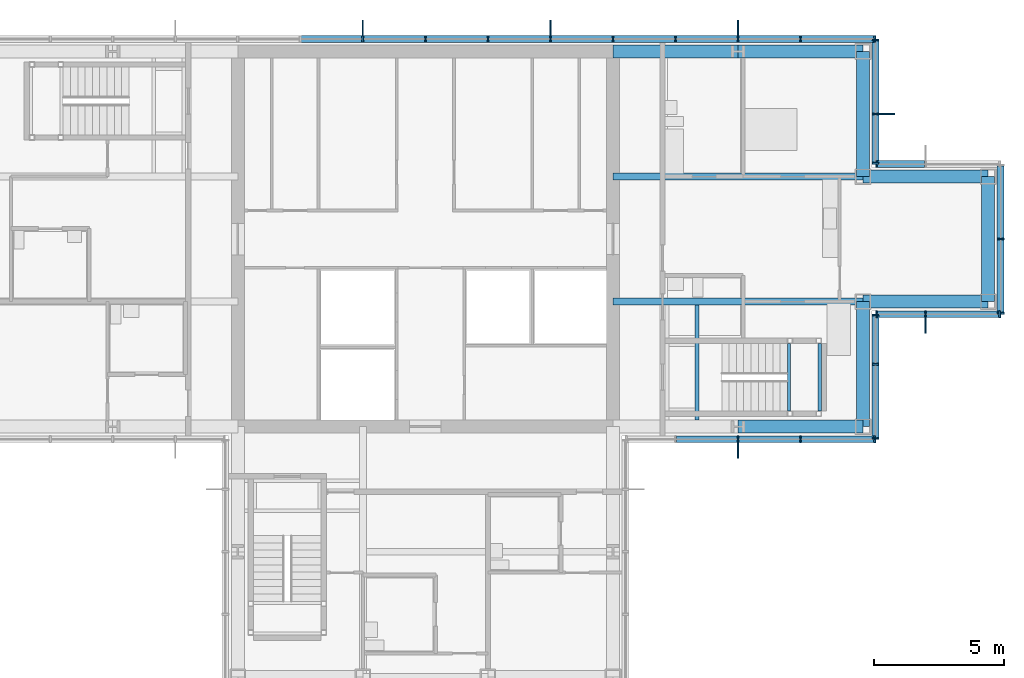
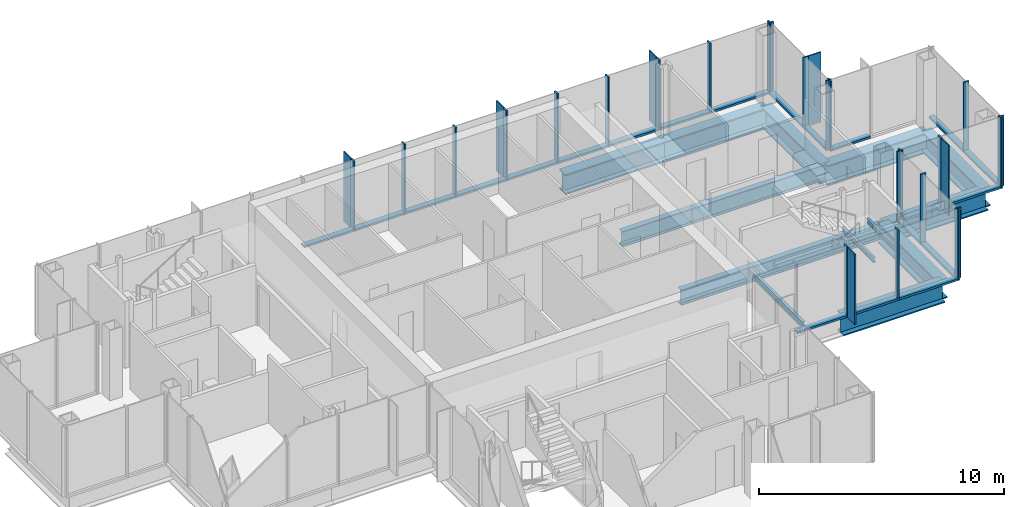
# One storey, part 7 of 15: 51 members, 13 beams, 7 elements without a shape of their own.
"""IFC4 building model written with IfcOpenShell, lengths in metres."""

from ifc_helpers import new_model, si_unit, direction, frame, origin, origin_2d, place, context, subcontext, project, spatial, rectangle, i_section, extrude, material, material_profile, profile_set, type_object, element, aggregate, save


model = new_model("IFC4")

# Units and contexts
model_context = context("Model", 3, precision=1e-05, world=origin(), true_north=direction((0.0, 1.0)))
body_context = subcontext(model_context, "Body", "Model", "MODEL_VIEW")
ifc_project = project(units=[si_unit("LENGTHUNIT", "METRE"), si_unit("AREAUNIT", "SQUARE_METRE"), si_unit("VOLUMEUNIT", "CUBIC_METRE"), si_unit("PLANEANGLEUNIT", "RADIAN"), si_unit("MASSUNIT", "GRAM", prefix="KILO")], contexts=[model_context])

# Site, building, storey
site_placement = place(None, origin())
site = spatial("IfcSite", under=ifc_project, at=site_placement, CompositionType="ELEMENT")
building_placement = place(site_placement, origin())
building = spatial("IfcBuilding", under=site, at=building_placement, Name="Kvirike Care Tower", CompositionType="ELEMENT")
storey_placement = place(building_placement, frame((0.0, 0.0, 233.0)))
storey = spatial("IfcBuildingStorey", under=building, at=storey_placement, Name="L64", CompositionType="ELEMENT", Elevation=233.0)

# Curtain wall, member
ifc_material_1 = material(Name="Anodised aluminium stick system", Category="aluminium")
curtain_wall_type = type_object("IfcCurtainWallType", Name="CW-D STICK CURTAIN WALL", PredefinedType="NOTDEFINED", material=ifc_material_1)
curtain_wall_1_placement = place(storey_placement, origin())
curtain_wall_1 = element("IfcCurtainWall", 1, at=curtain_wall_1_placement, inside=storey, type_object=curtain_wall_type, Name="Curtain wall L64 face 1", PredefinedType="NOTDEFINED")
ifc_material_2 = material(Name="Bronze anodised aluminium fin", Category="aluminium")
ifc_material_profile_1 = material_profile(ifc_material_2, rectangle(XDim=0.050048828125, YDim=0.60009765625, at=origin_2d()), Name="BRONZE FIN 600")
ifc_profile_set_1 = profile_set([ifc_material_profile_1], Name="Bronze anodised aluminium fin")
member_type_1 = type_object("IfcMemberType", Name="BRONZE FIN 600", PredefinedType="USERDEFINED", material=ifc_profile_set_1)
member_1_placement = place(storey_placement, frame((33.60009765625, 27.889892578125, 0.0), z_axis=(0.0, 0.0, 1.0), x_axis=(1.0, 0.0, 0.0)))
member_1 = element("IfcMember", 2, at=member_1_placement, type_object=member_type_1, Name="Bronze fin L64 face 1.3", ObjectType="FIN", PredefinedType="USERDEFINED", context=body_context, shape_type="SweptSolid", body=[
    extrude(rectangle(XDim=0.050048828125, YDim=0.60009765625, at=origin_2d()), origin(), (0.0, 0.0, 1.0), 3.5),
])

curtain_wall_2_placement = place(storey_placement, origin())
curtain_wall_2 = element("IfcCurtainWall", 3, at=curtain_wall_2_placement, inside=storey, type_object=curtain_wall_type, Name="Curtain wall L64 face 3", PredefinedType="NOTDEFINED")
member_2_placement = place(storey_placement, frame((40.800048828125, 32.68994140625, 0.0), z_axis=(0.0, 0.0, 1.0), x_axis=(1.0, 0.0, 0.0)))
member_2 = element("IfcMember", 4, at=member_2_placement, type_object=member_type_1, Name="Bronze fin L64 face 3.2", ObjectType="FIN", PredefinedType="USERDEFINED", context=body_context, shape_type="SweptSolid", body=[
    extrude(rectangle(XDim=0.050048828125, YDim=0.60009765625, at=origin_2d()), origin(), (0.0, 0.0, 1.0), 3.5),
])

curtain_wall_3_placement = place(storey_placement, origin())
curtain_wall_3 = element("IfcCurtainWall", 5, at=curtain_wall_3_placement, inside=storey, type_object=curtain_wall_type, Name="Curtain wall L64 face 6", PredefinedType="NOTDEFINED")
member_3_placement = place(storey_placement, frame((39.31005859375, 40.800048828125, 0.0), z_axis=(0.0, 0.0, 1.0), x_axis=(0.0, 1.0, 0.0)))
member_3 = element("IfcMember", 6, at=member_3_placement, type_object=member_type_1, Name="Bronze fin L64 face 6.2", ObjectType="FIN", PredefinedType="USERDEFINED", context=body_context, shape_type="SweptSolid", body=[
    extrude(rectangle(XDim=0.050048828125, YDim=0.60009765625, at=origin_2d()), origin(), (0.0, 0.0, 1.0), 3.5),
])

# Curtain wall, members
curtain_wall_4_placement = place(storey_placement, origin())
curtain_wall_4 = element("IfcCurtainWall", 7, at=curtain_wall_4_placement, inside=storey, type_object=curtain_wall_type, Name="Curtain wall L64 face 7", PredefinedType="NOTDEFINED")
member_4_placement = place(storey_placement, frame((33.60009765625, 44.110107421875, 0.0), z_axis=(0.0, 0.0, 1.0), x_axis=(-1.0, 0.0, 0.0)))
member_4 = element("IfcMember", 8, at=member_4_placement, type_object=member_type_1, Name="Bronze fin L64 face 7.3", ObjectType="FIN", PredefinedType="USERDEFINED", context=body_context, shape_type="SweptSolid", body=[
    extrude(rectangle(XDim=0.050048828125, YDim=0.60009765625, at=origin_2d()), origin(), (0.0, 0.0, 1.0), 3.5),
])
member_5_placement = place(storey_placement, frame((26.39990234375, 44.110107421875, 0.0), z_axis=(0.0, 0.0, 1.0), x_axis=(-1.0, 0.0, 0.0)))
member_5 = element("IfcMember", 9, at=member_5_placement, type_object=member_type_1, Name="Bronze fin L64 face 7.6", ObjectType="FIN", PredefinedType="USERDEFINED", context=body_context, shape_type="SweptSolid", body=[
    extrude(rectangle(XDim=0.050048828125, YDim=0.60009765625, at=origin_2d()), origin(), (0.0, 0.0, 1.0), 3.5),
])
member_6_placement = place(storey_placement, frame((19.199951171875, 44.110107421875, 0.0), z_axis=(0.0, 0.0, 1.0), x_axis=(-1.0, 0.0, 0.0)))
member_6 = element("IfcMember", 10, at=member_6_placement, type_object=member_type_1, Name="Bronze fin L64 face 7.9", ObjectType="FIN", PredefinedType="USERDEFINED", context=body_context, shape_type="SweptSolid", body=[
    extrude(rectangle(XDim=0.050048828125, YDim=0.60009765625, at=origin_2d()), origin(), (0.0, 0.0, 1.0), 3.5),
])

# Member
ifc_material_3 = material(Name="Bronze anodised aluminium mullion", Category="aluminium")
ifc_material_profile_2 = material_profile(ifc_material_3, rectangle(XDim=0.06494140625, YDim=0.260009765625, at=origin_2d()), Name="CW-D MULLION 65x260")
ifc_profile_set_2 = profile_set([ifc_material_profile_2], Name="Bronze anodised aluminium mullion")
member_type_2 = type_object("IfcMemberType", Name="CW-D MULLION 65x260", PredefinedType="MULLION", material=ifc_profile_set_2)
member_7_placement = place(storey_placement, frame((33.60009765625, 28.320068359375, 0.0), z_axis=(0.0, 0.0, 1.0), x_axis=(1.0, 0.0, 0.0)))
member_7 = element("IfcMember", 11, at=member_7_placement, type_object=member_type_2, Name="CW-D mullion L64 face 1.3", PredefinedType="MULLION", context=body_context, shape_type="SweptSolid", body=[
    extrude(rectangle(XDim=0.06494140625, YDim=0.260009765625, at=origin_2d()), origin(), (0.0, 0.0, 1.0), 3.5),
])

member_8_placement = place(storey_placement, frame((36.0, 28.320068359375, 0.0), z_axis=(0.0, 0.0, 1.0), x_axis=(1.0, 0.0, 0.0)))
member_8 = element("IfcMember", 12, at=member_8_placement, type_object=member_type_2, Name="CW-D mullion L64 face 1.4", PredefinedType="MULLION", context=body_context, shape_type="SweptSolid", body=[
    extrude(rectangle(XDim=0.06494140625, YDim=0.260009765625, at=origin_2d()), origin(), (0.0, 0.0, 1.0), 3.5),
])

member_9_placement = place(storey_placement, frame((38.847412109375, 28.320068359375, 0.0), z_axis=(0.0, 0.0, 1.0), x_axis=(1.0, 0.0, 0.0)))
member_9 = element("IfcMember", 13, at=member_9_placement, type_object=member_type_2, Name="CW-D mullion L64 face 1.5", PredefinedType="MULLION", context=body_context, shape_type="SweptSolid", body=[
    extrude(rectangle(XDim=0.06494140625, YDim=0.260009765625, at=origin_2d()), origin(), (0.0, 0.0, 1.0), 3.5),
])

# Curtain wall, members
curtain_wall_5_placement = place(storey_placement, origin())
curtain_wall_5 = element("IfcCurtainWall", 14, at=curtain_wall_5_placement, inside=storey, type_object=curtain_wall_type, Name="Curtain wall L64 face 2", PredefinedType="NOTDEFINED")
member_10_placement = place(storey_placement, frame((38.8798828125, 28.3525390625, 0.0), z_axis=(0.0, 0.0, 1.0), x_axis=(0.0, 1.0, 0.0)))
member_10 = element("IfcMember", 15, at=member_10_placement, type_object=member_type_2, Name="CW-D mullion L64 face 2.1", PredefinedType="MULLION", context=body_context, shape_type="SweptSolid", body=[
    extrude(rectangle(XDim=0.06494140625, YDim=0.260009765625, at=origin_2d()), origin(), (0.0, 0.0, 1.0), 3.5),
])
member_11_placement = place(storey_placement, frame((38.8798828125, 31.199951171875, 0.0), z_axis=(0.0, 0.0, 1.0), x_axis=(0.0, 1.0, 0.0)))
member_11 = element("IfcMember", 16, at=member_11_placement, type_object=member_type_2, Name="CW-D mullion L64 face 2.2", PredefinedType="MULLION", context=body_context, shape_type="SweptSolid", body=[
    extrude(rectangle(XDim=0.06494140625, YDim=0.260009765625, at=origin_2d()), origin(), (0.0, 0.0, 1.0), 3.5),
])
member_12_placement = place(storey_placement, frame((38.8798828125, 33.08740234375, 0.0), z_axis=(0.0, 0.0, 1.0), x_axis=(0.0, 1.0, 0.0)))
member_12 = element("IfcMember", 17, at=member_12_placement, type_object=member_type_2, Name="CW-D mullion L64 face 2.3", PredefinedType="MULLION", context=body_context, shape_type="SweptSolid", body=[
    extrude(rectangle(XDim=0.06494140625, YDim=0.260009765625, at=origin_2d()), origin(), (0.0, 0.0, 1.0), 3.5),
])

# Member
member_13_placement = place(storey_placement, frame((38.91259765625, 33.1201171875, 0.0), z_axis=(0.0, 0.0, 1.0), x_axis=(1.0, 0.0, 0.0)))
member_13 = element("IfcMember", 18, at=member_13_placement, type_object=member_type_2, Name="CW-D mullion L64 face 3.1", PredefinedType="MULLION", context=body_context, shape_type="SweptSolid", body=[
    extrude(rectangle(XDim=0.06494140625, YDim=0.260009765625, at=origin_2d()), origin(), (0.0, 0.0, 1.0), 3.5),
])

member_14_placement = place(storey_placement, frame((40.800048828125, 33.1201171875, 0.0), z_axis=(0.0, 0.0, 1.0), x_axis=(1.0, 0.0, 0.0)))
member_14 = element("IfcMember", 19, at=member_14_placement, type_object=member_type_2, Name="CW-D mullion L64 face 3.2", PredefinedType="MULLION", context=body_context, shape_type="SweptSolid", body=[
    extrude(rectangle(XDim=0.06494140625, YDim=0.260009765625, at=origin_2d()), origin(), (0.0, 0.0, 1.0), 3.5),
])

member_15_placement = place(storey_placement, frame((43.6474609375, 33.1201171875, 0.0), z_axis=(0.0, 0.0, 1.0), x_axis=(1.0, 0.0, 0.0)))
member_15 = element("IfcMember", 20, at=member_15_placement, type_object=member_type_2, Name="CW-D mullion L64 face 3.3", PredefinedType="MULLION", context=body_context, shape_type="SweptSolid", body=[
    extrude(rectangle(XDim=0.06494140625, YDim=0.260009765625, at=origin_2d()), origin(), (0.0, 0.0, 1.0), 3.5),
])

# Curtain wall, members
curtain_wall_6_placement = place(storey_placement, origin())
curtain_wall_6 = element("IfcCurtainWall", 21, at=curtain_wall_6_placement, inside=storey, type_object=curtain_wall_type, Name="Curtain wall L64 face 4", PredefinedType="NOTDEFINED")
member_16_placement = place(storey_placement, frame((43.679931640625, 33.152587890625, 0.0), z_axis=(0.0, 0.0, 1.0), x_axis=(0.0, 1.0, 0.0)))
member_16 = element("IfcMember", 22, at=member_16_placement, type_object=member_type_2, Name="CW-D mullion L64 face 4.1", PredefinedType="MULLION", context=body_context, shape_type="SweptSolid", body=[
    extrude(rectangle(XDim=0.06494140625, YDim=0.260009765625, at=origin_2d()), origin(), (0.0, 0.0, 1.0), 3.5),
])
member_17_placement = place(storey_placement, frame((43.679931640625, 36.0, 0.0), z_axis=(0.0, 0.0, 1.0), x_axis=(0.0, 1.0, 0.0)))
member_17 = element("IfcMember", 23, at=member_17_placement, type_object=member_type_2, Name="CW-D mullion L64 face 4.2", PredefinedType="MULLION", context=body_context, shape_type="SweptSolid", body=[
    extrude(rectangle(XDim=0.06494140625, YDim=0.260009765625, at=origin_2d()), origin(), (0.0, 0.0, 1.0), 3.5),
])

# Curtain wall, member
curtain_wall_7_placement = place(storey_placement, origin())
curtain_wall_7 = element("IfcCurtainWall", 24, at=curtain_wall_7_placement, inside=storey, type_object=curtain_wall_type, Name="Curtain wall L64 face 5", PredefinedType="NOTDEFINED")
member_18_placement = place(storey_placement, frame((38.91259765625, 38.8798828125, 0.0), z_axis=(0.0, 0.0, 1.0), x_axis=(-1.0, 0.0, 0.0)))
member_18 = element("IfcMember", 25, at=member_18_placement, type_object=member_type_2, Name="CW-D mullion L64 face 5.3", PredefinedType="MULLION", context=body_context, shape_type="SweptSolid", body=[
    extrude(rectangle(XDim=0.06494140625, YDim=0.260009765625, at=origin_2d()), origin(), (0.0, 0.0, 1.0), 3.5),
])

# Member
member_19_placement = place(storey_placement, frame((38.8798828125, 38.91259765625, 0.0), z_axis=(0.0, 0.0, 1.0), x_axis=(0.0, 1.0, 0.0)))
member_19 = element("IfcMember", 26, at=member_19_placement, type_object=member_type_2, Name="CW-D mullion L64 face 6.1", PredefinedType="MULLION", context=body_context, shape_type="SweptSolid", body=[
    extrude(rectangle(XDim=0.06494140625, YDim=0.260009765625, at=origin_2d()), origin(), (0.0, 0.0, 1.0), 3.5),
])

member_20_placement = place(storey_placement, frame((38.8798828125, 40.800048828125, 0.0), z_axis=(0.0, 0.0, 1.0), x_axis=(0.0, 1.0, 0.0)))
member_20 = element("IfcMember", 27, at=member_20_placement, type_object=member_type_2, Name="CW-D mullion L64 face 6.2", PredefinedType="MULLION", context=body_context, shape_type="SweptSolid", body=[
    extrude(rectangle(XDim=0.06494140625, YDim=0.260009765625, at=origin_2d()), origin(), (0.0, 0.0, 1.0), 3.5),
])

member_21_placement = place(storey_placement, frame((38.8798828125, 43.6474609375, 0.0), z_axis=(0.0, 0.0, 1.0), x_axis=(0.0, 1.0, 0.0)))
member_21 = element("IfcMember", 28, at=member_21_placement, type_object=member_type_2, Name="CW-D mullion L64 face 6.3", PredefinedType="MULLION", context=body_context, shape_type="SweptSolid", body=[
    extrude(rectangle(XDim=0.06494140625, YDim=0.260009765625, at=origin_2d()), origin(), (0.0, 0.0, 1.0), 3.5),
])

member_22_placement = place(storey_placement, frame((38.847412109375, 43.679931640625, 0.0), z_axis=(0.0, 0.0, 1.0), x_axis=(-1.0, 0.0, 0.0)))
member_22 = element("IfcMember", 29, at=member_22_placement, type_object=member_type_2, Name="CW-D mullion L64 face 7.1", PredefinedType="MULLION", context=body_context, shape_type="SweptSolid", body=[
    extrude(rectangle(XDim=0.06494140625, YDim=0.260009765625, at=origin_2d()), origin(), (0.0, 0.0, 1.0), 3.5),
])

member_23_placement = place(storey_placement, frame((36.0, 43.679931640625, 0.0), z_axis=(0.0, 0.0, 1.0), x_axis=(-1.0, 0.0, 0.0)))
member_23 = element("IfcMember", 30, at=member_23_placement, type_object=member_type_2, Name="CW-D mullion L64 face 7.2", PredefinedType="MULLION", context=body_context, shape_type="SweptSolid", body=[
    extrude(rectangle(XDim=0.06494140625, YDim=0.260009765625, at=origin_2d()), origin(), (0.0, 0.0, 1.0), 3.5),
])

member_24_placement = place(storey_placement, frame((33.60009765625, 43.679931640625, 0.0), z_axis=(0.0, 0.0, 1.0), x_axis=(-1.0, 0.0, 0.0)))
member_24 = element("IfcMember", 31, at=member_24_placement, type_object=member_type_2, Name="CW-D mullion L64 face 7.3", PredefinedType="MULLION", context=body_context, shape_type="SweptSolid", body=[
    extrude(rectangle(XDim=0.06494140625, YDim=0.260009765625, at=origin_2d()), origin(), (0.0, 0.0, 1.0), 3.5),
])

member_25_placement = place(storey_placement, frame((31.199951171875, 43.679931640625, 0.0), z_axis=(0.0, 0.0, 1.0), x_axis=(-1.0, 0.0, 0.0)))
member_25 = element("IfcMember", 32, at=member_25_placement, type_object=member_type_2, Name="CW-D mullion L64 face 7.4", PredefinedType="MULLION", context=body_context, shape_type="SweptSolid", body=[
    extrude(rectangle(XDim=0.06494140625, YDim=0.260009765625, at=origin_2d()), origin(), (0.0, 0.0, 1.0), 3.5),
])

member_26_placement = place(storey_placement, frame((28.800048828125, 43.679931640625, 0.0), z_axis=(0.0, 0.0, 1.0), x_axis=(-1.0, 0.0, 0.0)))
member_26 = element("IfcMember", 33, at=member_26_placement, type_object=member_type_2, Name="CW-D mullion L64 face 7.5", PredefinedType="MULLION", context=body_context, shape_type="SweptSolid", body=[
    extrude(rectangle(XDim=0.06494140625, YDim=0.260009765625, at=origin_2d()), origin(), (0.0, 0.0, 1.0), 3.5),
])

member_27_placement = place(storey_placement, frame((26.39990234375, 43.679931640625, 0.0), z_axis=(0.0, 0.0, 1.0), x_axis=(-1.0, 0.0, 0.0)))
member_27 = element("IfcMember", 34, at=member_27_placement, type_object=member_type_2, Name="CW-D mullion L64 face 7.6", PredefinedType="MULLION", context=body_context, shape_type="SweptSolid", body=[
    extrude(rectangle(XDim=0.06494140625, YDim=0.260009765625, at=origin_2d()), origin(), (0.0, 0.0, 1.0), 3.5),
])

member_28_placement = place(storey_placement, frame((24.0, 43.679931640625, 0.0), z_axis=(0.0, 0.0, 1.0), x_axis=(-1.0, 0.0, 0.0)))
member_28 = element("IfcMember", 35, at=member_28_placement, type_object=member_type_2, Name="CW-D mullion L64 face 7.7", PredefinedType="MULLION", context=body_context, shape_type="SweptSolid", body=[
    extrude(rectangle(XDim=0.06494140625, YDim=0.260009765625, at=origin_2d()), origin(), (0.0, 0.0, 1.0), 3.5),
])

member_29_placement = place(storey_placement, frame((21.60009765625, 43.679931640625, 0.0), z_axis=(0.0, 0.0, 1.0), x_axis=(-1.0, 0.0, 0.0)))
member_29 = element("IfcMember", 36, at=member_29_placement, type_object=member_type_2, Name="CW-D mullion L64 face 7.8", PredefinedType="MULLION", context=body_context, shape_type="SweptSolid", body=[
    extrude(rectangle(XDim=0.06494140625, YDim=0.260009765625, at=origin_2d()), origin(), (0.0, 0.0, 1.0), 3.5),
])

member_30_placement = place(storey_placement, frame((19.199951171875, 43.679931640625, 0.0), z_axis=(0.0, 0.0, 1.0), x_axis=(-1.0, 0.0, 0.0)))
member_30 = element("IfcMember", 37, at=member_30_placement, type_object=member_type_2, Name="CW-D mullion L64 face 7.9", PredefinedType="MULLION", context=body_context, shape_type="SweptSolid", body=[
    extrude(rectangle(XDim=0.06494140625, YDim=0.260009765625, at=origin_2d()), origin(), (0.0, 0.0, 1.0), 3.5),
])

ifc_material_4 = material(Name="Bronze anodised aluminium transom", Category="aluminium")
ifc_material_profile_3 = material_profile(ifc_material_4, rectangle(XDim=0.260009765625, YDim=0.10009765625, at=origin_2d()), Name="CW-D TRANSOM 260x100")
ifc_profile_set_3 = profile_set([ifc_material_profile_3], Name="Bronze anodised aluminium transom")
member_type_3 = type_object("IfcMemberType", Name="CW-D TRANSOM 260x100", PredefinedType="USERDEFINED", material=ifc_profile_set_3)
member_31_placement = place(storey_placement, frame((31.232421875, 28.320068359375, 0.050048828125), z_axis=(1.0, 0.0, 0.0), x_axis=(0.0, 1.0, 0.0)))
member_31 = element("IfcMember", 38, at=member_31_placement, type_object=member_type_3, Name="CW-D sill transom L64 face 1.2", ObjectType="TRANSOM", PredefinedType="USERDEFINED", context=body_context, shape_type="SweptSolid", body=[
    extrude(rectangle(XDim=0.260009765625, YDim=0.10009765625, at=origin_2d()), origin(), (0.0, 0.0, 1.0), 2.3349609375),
])

member_32_placement = place(storey_placement, frame((33.632568359375, 28.320068359375, 0.050048828125), z_axis=(1.0, 0.0, 0.0), x_axis=(0.0, 1.0, 0.0)))
member_32 = element("IfcMember", 39, at=member_32_placement, type_object=member_type_3, Name="CW-D sill transom L64 face 1.3", ObjectType="TRANSOM", PredefinedType="USERDEFINED", context=body_context, shape_type="SweptSolid", body=[
    extrude(rectangle(XDim=0.260009765625, YDim=0.10009765625, at=origin_2d()), origin(), (0.0, 0.0, 1.0), 2.3349609375),
])

member_33_placement = place(storey_placement, frame((36.032470703125, 28.320068359375, 0.050048828125), z_axis=(1.0, 0.0, 0.0), x_axis=(0.0, 1.0, 0.0)))
member_33 = element("IfcMember", 40, at=member_33_placement, type_object=member_type_3, Name="CW-D sill transom L64 face 1.4", ObjectType="TRANSOM", PredefinedType="USERDEFINED", context=body_context, shape_type="SweptSolid", body=[
    extrude(rectangle(XDim=0.260009765625, YDim=0.10009765625, at=origin_2d()), origin(), (0.0, 0.0, 1.0), 2.782470703125),
])

aggregate(curtain_wall_1, [member_7, member_1, member_8, member_9, member_31, member_32, member_33])

member_34_placement = place(storey_placement, frame((38.8798828125, 28.385009765625, 0.050048828125), z_axis=(0.0, 1.0, 0.0), x_axis=(-1.0, 0.0, 0.0)))
member_34 = element("IfcMember", 41, at=member_34_placement, type_object=member_type_3, Name="CW-D sill transom L64 face 2.1", ObjectType="TRANSOM", PredefinedType="USERDEFINED", context=body_context, shape_type="SweptSolid", body=[
    extrude(rectangle(XDim=0.260009765625, YDim=0.10009765625, at=origin_2d()), origin(), (0.0, 0.0, 1.0), 2.782470703125),
])

member_35_placement = place(storey_placement, frame((38.8798828125, 31.232421875, 0.050048828125), z_axis=(0.0, 1.0, 0.0), x_axis=(-1.0, 0.0, 0.0)))
member_35 = element("IfcMember", 42, at=member_35_placement, type_object=member_type_3, Name="CW-D sill transom L64 face 2.2", ObjectType="TRANSOM", PredefinedType="USERDEFINED", context=body_context, shape_type="SweptSolid", body=[
    extrude(rectangle(XDim=0.260009765625, YDim=0.10009765625, at=origin_2d()), origin(), (0.0, 0.0, 1.0), 1.822509765625),
])

aggregate(curtain_wall_5, [member_10, member_11, member_12, member_34, member_35])

member_36_placement = place(storey_placement, frame((38.945068359375, 33.1201171875, 0.050048828125), z_axis=(1.0, 0.0, 0.0), x_axis=(0.0, 1.0, 0.0)))
member_36 = element("IfcMember", 43, at=member_36_placement, type_object=member_type_3, Name="CW-D sill transom L64 face 3.1", ObjectType="TRANSOM", PredefinedType="USERDEFINED", context=body_context, shape_type="SweptSolid", body=[
    extrude(rectangle(XDim=0.260009765625, YDim=0.10009765625, at=origin_2d()), origin(), (0.0, 0.0, 1.0), 1.822509765625),
])

member_37_placement = place(storey_placement, frame((40.83251953125, 33.1201171875, 0.050048828125), z_axis=(1.0, 0.0, 0.0), x_axis=(0.0, 1.0, 0.0)))
member_37 = element("IfcMember", 44, at=member_37_placement, type_object=member_type_3, Name="CW-D sill transom L64 face 3.2", ObjectType="TRANSOM", PredefinedType="USERDEFINED", context=body_context, shape_type="SweptSolid", body=[
    extrude(rectangle(XDim=0.260009765625, YDim=0.10009765625, at=origin_2d()), origin(), (0.0, 0.0, 1.0), 2.782470703125),
])

aggregate(curtain_wall_2, [member_13, member_14, member_2, member_15, member_36, member_37])

member_38_placement = place(storey_placement, frame((43.679931640625, 33.18505859375, 0.050048828125), z_axis=(0.0, 1.0, 0.0), x_axis=(-1.0, 0.0, 0.0)))
member_38 = element("IfcMember", 45, at=member_38_placement, type_object=member_type_3, Name="CW-D sill transom L64 face 4.1", ObjectType="TRANSOM", PredefinedType="USERDEFINED", context=body_context, shape_type="SweptSolid", body=[
    extrude(rectangle(XDim=0.260009765625, YDim=0.10009765625, at=origin_2d()), origin(), (0.0, 0.0, 1.0), 2.782470703125),
])

member_39_placement = place(storey_placement, frame((43.679931640625, 36.032470703125, 0.050048828125), z_axis=(0.0, 1.0, 0.0), x_axis=(-1.0, 0.0, 0.0)))
member_39 = element("IfcMember", 46, at=member_39_placement, type_object=member_type_3, Name="CW-D sill transom L64 face 4.2", ObjectType="TRANSOM", PredefinedType="USERDEFINED", context=body_context, shape_type="SweptSolid", body=[
    extrude(rectangle(XDim=0.260009765625, YDim=0.10009765625, at=origin_2d()), origin(), (0.0, 0.0, 1.0), 2.782470703125),
])

aggregate(curtain_wall_6, [member_16, member_17, member_38, member_39])

member_40_placement = place(storey_placement, frame((40.767578125, 38.8798828125, 0.050048828125), z_axis=(-1.0, 0.0, 0.0), x_axis=(0.0, -1.0, 0.0)))
member_40 = element("IfcMember", 47, at=member_40_placement, type_object=member_type_3, Name="CW-D sill transom L64 face 5.2", ObjectType="TRANSOM", PredefinedType="USERDEFINED", context=body_context, shape_type="SweptSolid", body=[
    extrude(rectangle(XDim=0.260009765625, YDim=0.10009765625, at=origin_2d()), origin(), (0.0, 0.0, 1.0), 1.822509765625),
])

aggregate(curtain_wall_7, [member_18, member_40])

member_41_placement = place(storey_placement, frame((38.8798828125, 38.945068359375, 0.050048828125), z_axis=(0.0, 1.0, 0.0), x_axis=(-1.0, 0.0, 0.0)))
member_41 = element("IfcMember", 48, at=member_41_placement, type_object=member_type_3, Name="CW-D sill transom L64 face 6.1", ObjectType="TRANSOM", PredefinedType="USERDEFINED", context=body_context, shape_type="SweptSolid", body=[
    extrude(rectangle(XDim=0.260009765625, YDim=0.10009765625, at=origin_2d()), origin(), (0.0, 0.0, 1.0), 1.822509765625),
])

member_42_placement = place(storey_placement, frame((38.8798828125, 40.83251953125, 0.050048828125), z_axis=(0.0, 1.0, 0.0), x_axis=(-1.0, 0.0, 0.0)))
member_42 = element("IfcMember", 49, at=member_42_placement, type_object=member_type_3, Name="CW-D sill transom L64 face 6.2", ObjectType="TRANSOM", PredefinedType="USERDEFINED", context=body_context, shape_type="SweptSolid", body=[
    extrude(rectangle(XDim=0.260009765625, YDim=0.10009765625, at=origin_2d()), origin(), (0.0, 0.0, 1.0), 2.782470703125),
])

aggregate(curtain_wall_3, [member_19, member_20, member_3, member_21, member_41, member_42])

member_43_placement = place(storey_placement, frame((38.81494140625, 43.679931640625, 0.050048828125), z_axis=(-1.0, 0.0, 0.0), x_axis=(0.0, -1.0, 0.0)))
member_43 = element("IfcMember", 50, at=member_43_placement, type_object=member_type_3, Name="CW-D sill transom L64 face 7.1", ObjectType="TRANSOM", PredefinedType="USERDEFINED", context=body_context, shape_type="SweptSolid", body=[
    extrude(rectangle(XDim=0.260009765625, YDim=0.10009765625, at=origin_2d()), origin(), (0.0, 0.0, 1.0), 2.782470703125),
])

member_44_placement = place(storey_placement, frame((35.967529296875, 43.679931640625, 0.050048828125), z_axis=(-1.0, 0.0, 0.0), x_axis=(0.0, -1.0, 0.0)))
member_44 = element("IfcMember", 51, at=member_44_placement, type_object=member_type_3, Name="CW-D sill transom L64 face 7.2", ObjectType="TRANSOM", PredefinedType="USERDEFINED", context=body_context, shape_type="SweptSolid", body=[
    extrude(rectangle(XDim=0.260009765625, YDim=0.10009765625, at=origin_2d()), origin(), (0.0, 0.0, 1.0), 2.3349609375),
])

member_45_placement = place(storey_placement, frame((33.5673828125, 43.679931640625, 0.050048828125), z_axis=(-1.0, 0.0, 0.0), x_axis=(0.0, -1.0, 0.0)))
member_45 = element("IfcMember", 52, at=member_45_placement, type_object=member_type_3, Name="CW-D sill transom L64 face 7.3", ObjectType="TRANSOM", PredefinedType="USERDEFINED", context=body_context, shape_type="SweptSolid", body=[
    extrude(rectangle(XDim=0.260009765625, YDim=0.10009765625, at=origin_2d()), origin(), (0.0, 0.0, 1.0), 2.3349609375),
])

member_46_placement = place(storey_placement, frame((31.16748046875, 43.679931640625, 0.050048828125), z_axis=(-1.0, 0.0, 0.0), x_axis=(0.0, -1.0, 0.0)))
member_46 = element("IfcMember", 53, at=member_46_placement, type_object=member_type_3, Name="CW-D sill transom L64 face 7.4", ObjectType="TRANSOM", PredefinedType="USERDEFINED", context=body_context, shape_type="SweptSolid", body=[
    extrude(rectangle(XDim=0.260009765625, YDim=0.10009765625, at=origin_2d()), origin(), (0.0, 0.0, 1.0), 2.3349609375),
])

member_47_placement = place(storey_placement, frame((28.767578125, 43.679931640625, 0.050048828125), z_axis=(-1.0, 0.0, 0.0), x_axis=(0.0, -1.0, 0.0)))
member_47 = element("IfcMember", 54, at=member_47_placement, type_object=member_type_3, Name="CW-D sill transom L64 face 7.5", ObjectType="TRANSOM", PredefinedType="USERDEFINED", context=body_context, shape_type="SweptSolid", body=[
    extrude(rectangle(XDim=0.260009765625, YDim=0.10009765625, at=origin_2d()), origin(), (0.0, 0.0, 1.0), 2.3349609375),
])

member_48_placement = place(storey_placement, frame((26.367431640625, 43.679931640625, 0.050048828125), z_axis=(-1.0, 0.0, 0.0), x_axis=(0.0, -1.0, 0.0)))
member_48 = element("IfcMember", 55, at=member_48_placement, type_object=member_type_3, Name="CW-D sill transom L64 face 7.6", ObjectType="TRANSOM", PredefinedType="USERDEFINED", context=body_context, shape_type="SweptSolid", body=[
    extrude(rectangle(XDim=0.260009765625, YDim=0.10009765625, at=origin_2d()), origin(), (0.0, 0.0, 1.0), 2.3349609375),
])

member_49_placement = place(storey_placement, frame((23.967529296875, 43.679931640625, 0.050048828125), z_axis=(-1.0, 0.0, 0.0), x_axis=(0.0, -1.0, 0.0)))
member_49 = element("IfcMember", 56, at=member_49_placement, type_object=member_type_3, Name="CW-D sill transom L64 face 7.7", ObjectType="TRANSOM", PredefinedType="USERDEFINED", context=body_context, shape_type="SweptSolid", body=[
    extrude(rectangle(XDim=0.260009765625, YDim=0.10009765625, at=origin_2d()), origin(), (0.0, 0.0, 1.0), 2.3349609375),
])

member_50_placement = place(storey_placement, frame((21.5673828125, 43.679931640625, 0.050048828125), z_axis=(-1.0, 0.0, 0.0), x_axis=(0.0, -1.0, 0.0)))
member_50 = element("IfcMember", 57, at=member_50_placement, type_object=member_type_3, Name="CW-D sill transom L64 face 7.8", ObjectType="TRANSOM", PredefinedType="USERDEFINED", context=body_context, shape_type="SweptSolid", body=[
    extrude(rectangle(XDim=0.260009765625, YDim=0.10009765625, at=origin_2d()), origin(), (0.0, 0.0, 1.0), 2.3349609375),
])

member_51_placement = place(storey_placement, frame((19.16748046875, 43.679931640625, 0.050048828125), z_axis=(-1.0, 0.0, 0.0), x_axis=(0.0, -1.0, 0.0)))
member_51 = element("IfcMember", 58, at=member_51_placement, type_object=member_type_3, Name="CW-D sill transom L64 face 7.9", ObjectType="TRANSOM", PredefinedType="USERDEFINED", context=body_context, shape_type="SweptSolid", body=[
    extrude(rectangle(XDim=0.260009765625, YDim=0.10009765625, at=origin_2d()), origin(), (0.0, 0.0, 1.0), 2.3349609375),
])

aggregate(curtain_wall_4, [member_22, member_23, member_24, member_4, member_25, member_26, member_27, member_5, member_28, member_29, member_30, member_6, member_43, member_44, member_45, member_46, member_47, member_48, member_49, member_50, member_51])

# Beams
ifc_material_5 = material(Name="Steel S355", Category="steel")
ifc_material_profile_4 = material_profile(ifc_material_5, i_section(OverallWidth=0.26806640625, OverallDepth=0.77001953125, WebThickness=0.015625, FlangeThickness=0.025390625, FilletRadius=0.01708984375, at=origin_2d()), Name="IPE 750x196")
ifc_profile_set_4 = profile_set([ifc_material_profile_4], Name="Steel S355")
beam_type_1 = type_object("IfcBeamType", Name="FLOOR BEAM IPE 750x196", PredefinedType="BEAM", material=ifc_profile_set_4)
for number, where, z_axis, x_axis, name in (
    (59, (28.800048828125, 33.60009765625, -0.554931640625), (1.0, 0.0, 0.0), (0.0, 1.0, 0.0), "Floor Beam H9-H11 L64"),
    (60, (28.800048828125, 38.39990234375, -0.554931640625), (1.0, 0.0, 0.0), (0.0, 1.0, 0.0), "Floor Beam J9-J11 L64"),
):
    element("IfcBeam", number, at=place(storey_placement, frame(where, z_axis=z_axis, x_axis=x_axis)), inside=storey, type_object=beam_type_1, Name=name, PredefinedType="BEAM", context=body_context, shape_type="SweptSolid", body=[
        extrude(i_section(OverallWidth=0.26806640625, OverallDepth=0.77001953125, WebThickness=0.015625, FlangeThickness=0.025390625, FilletRadius=0.01708984375, at=origin_2d()), origin(), (0.0, 0.0, 1.0), 9.599853515625),
    ])
ifc_material_6 = material(Name="Steel S355", Category="steel")
ifc_material_profile_5 = material_profile(ifc_material_6, i_section(OverallWidth=0.5, OverallDepth=1.0, WebThickness=0.030029296875, FlangeThickness=0.06005859375, at=origin_2d()), Name="PG 1000x500x30x60")
ifc_profile_set_5 = profile_set([ifc_material_profile_5], Name="Steel S355")
beam_type_2 = type_object("IfcBeamType", Name="SPANDREL PG 1000x500x30x60", PredefinedType="SPANDREL", material=ifc_profile_set_5)
beam_1_placement = place(storey_placement, frame((33.60009765625, 28.800048828125, -0.669921875), z_axis=(1.0, 0.0, 0.0), x_axis=(0.0, 1.0, 0.0)))
element("IfcBeam", 61, at=beam_1_placement, inside=storey, type_object=beam_type_2, Name="Spandrel G10-G11 L64", PredefinedType="SPANDREL", context=body_context, shape_type="SweptSolid", body=[
    extrude(i_section(OverallWidth=0.5, OverallDepth=1.0, WebThickness=0.030029296875, FlangeThickness=0.06005859375, at=origin_2d()), origin(), (0.0, 0.0, 1.0), 4.7998046875),
])
for number, where, z_axis, x_axis, name in (
    (62, (38.39990234375, 33.60009765625, -0.669921875), (1.0, 0.0, 0.0), (0.0, 1.0, 0.0), "Spandrel H11-H12 L64"),
    (63, (38.39990234375, 38.39990234375, -0.669921875), (1.0, 0.0, 0.0), (0.0, 1.0, 0.0), "Spandrel J11-J12 L64"),
    (64, (28.800048828125, 43.199951171875, -0.669921875), (1.0, 0.0, 0.0), (0.0, 1.0, 0.0), "Spandrel K9-K10 L64"),
):
    element("IfcBeam", number, at=place(storey_placement, frame(where, z_axis=z_axis, x_axis=x_axis)), inside=storey, type_object=beam_type_2, Name=name, PredefinedType="SPANDREL", context=body_context, shape_type="SweptSolid", body=[
        extrude(i_section(OverallWidth=0.5, OverallDepth=1.0, WebThickness=0.030029296875, FlangeThickness=0.06005859375, at=origin_2d()), origin(), (0.0, 0.0, 1.0), 4.800048828125),
    ])
beam_2_placement = place(storey_placement, frame((33.60009765625, 43.199951171875, -0.669921875), z_axis=(1.0, 0.0, 0.0), x_axis=(0.0, 1.0, 0.0)))
element("IfcBeam", 65, at=beam_2_placement, inside=storey, type_object=beam_type_2, Name="Spandrel K10-K11 L64", PredefinedType="SPANDREL", context=body_context, shape_type="SweptSolid", body=[
    extrude(i_section(OverallWidth=0.5, OverallDepth=1.0, WebThickness=0.030029296875, FlangeThickness=0.06005859375, at=origin_2d()), origin(), (0.0, 0.0, 1.0), 4.7998046875),
])
for number, where, z_axis, x_axis, name in (
    (66, (38.39990234375, 28.800048828125, -0.669921875), (0.0, 1.0, 0.0), (-1.0, 0.0, 0.0), "Spandrel G11-H11 L64"),
    (67, (38.39990234375, 38.39990234375, -0.669921875), (0.0, 1.0, 0.0), (-1.0, 0.0, 0.0), "Spandrel J11-K11 L64"),
):
    element("IfcBeam", number, at=place(storey_placement, frame(where, z_axis=z_axis, x_axis=x_axis)), inside=storey, type_object=beam_type_2, Name=name, PredefinedType="SPANDREL", context=body_context, shape_type="SweptSolid", body=[
        extrude(i_section(OverallWidth=0.5, OverallDepth=1.0, WebThickness=0.030029296875, FlangeThickness=0.06005859375, at=origin_2d()), origin(), (0.0, 0.0, 1.0), 4.800048828125),
    ])
beam_3_placement = place(storey_placement, frame((43.199951171875, 33.60009765625, -0.669921875), z_axis=(0.0, 1.0, 0.0), x_axis=(-1.0, 0.0, 0.0)))
element("IfcBeam", 68, at=beam_3_placement, inside=storey, type_object=beam_type_2, Name="Spandrel H12-J12 L64", PredefinedType="SPANDREL", context=body_context, shape_type="SweptSolid", body=[
    extrude(i_section(OverallWidth=0.5, OverallDepth=1.0, WebThickness=0.030029296875, FlangeThickness=0.06005859375, at=origin_2d()), origin(), (0.0, 0.0, 1.0), 4.7998046875),
])
ifc_material_7 = material(Name="Steel S355", Category="steel")
ifc_material_profile_6 = material_profile(ifc_material_7, i_section(OverallWidth=0.1201171875, OverallDepth=0.239990234375, WebThickness=0.006103515625, FlangeThickness=0.009765625, FilletRadius=0.014892578125, at=origin_2d()), Name="IPE 240")
ifc_profile_set_6 = profile_set([ifc_material_profile_6], Name="Steel S355")
beam_type_3 = type_object("IfcBeamType", Name="STAIR LANDING BEAM IPE 240", PredefinedType="BEAM", material=ifc_profile_set_6)
for number, where, z_axis, x_axis, name in (
    (69, (36.739990234375, 29.39990234375, 1.429931640625), (0.0, 1.0, 0.0), (-1.0, 0.0, 0.0), "Stair 2 landing beam back L64"),
    (70, (35.56005859375, 29.39990234375, 1.429931640625), (0.0, 1.0, 0.0), (-1.0, 0.0, 0.0), "Stair 2 landing beam front L64"),
):
    element("IfcBeam", number, at=place(storey_placement, frame(where, z_axis=z_axis, x_axis=x_axis)), inside=storey, type_object=beam_type_3, Name=name, PredefinedType="BEAM", context=body_context, shape_type="SweptSolid", body=[
        extrude(i_section(OverallWidth=0.1201171875, OverallDepth=0.239990234375, WebThickness=0.006103515625, FlangeThickness=0.009765625, FilletRadius=0.014892578125, at=origin_2d()), origin(), (0.0, 0.0, 1.0), 2.60009765625),
    ])
ifc_material_8 = material(Name="Steel S355", Category="steel")
ifc_material_profile_7 = material_profile(ifc_material_8, i_section(OverallWidth=0.14990234375, OverallDepth=0.300048828125, WebThickness=0.007080078125, FlangeThickness=0.0107421875, FilletRadius=0.014892578125, at=origin_2d()), Name="IPE 300")
ifc_profile_set_7 = profile_set([ifc_material_profile_7], Name="Steel S355")
beam_type_4 = type_object("IfcBeamType", Name="STAIR TRIMMER IPE 300", PredefinedType="BEAM", material=ifc_profile_set_7)
beam_4_placement = place(storey_placement, frame((32.02490234375, 29.050048828125, -0.35009765625), z_axis=(0.0, 1.0, 0.0), x_axis=(-1.0, 0.0, 0.0)))
element("IfcBeam", 71, at=beam_4_placement, inside=storey, type_object=beam_type_4, Name="Stair 2 trimmer 1 L64", PredefinedType="BEAM", context=body_context, shape_type="SweptSolid", body=[
    extrude(i_section(OverallWidth=0.14990234375, OverallDepth=0.300048828125, WebThickness=0.007080078125, FlangeThickness=0.0107421875, FilletRadius=0.014892578125, at=origin_2d()), origin(), (0.0, 0.0, 1.0), 4.416015625),
])

save(model, "model.ifc")
